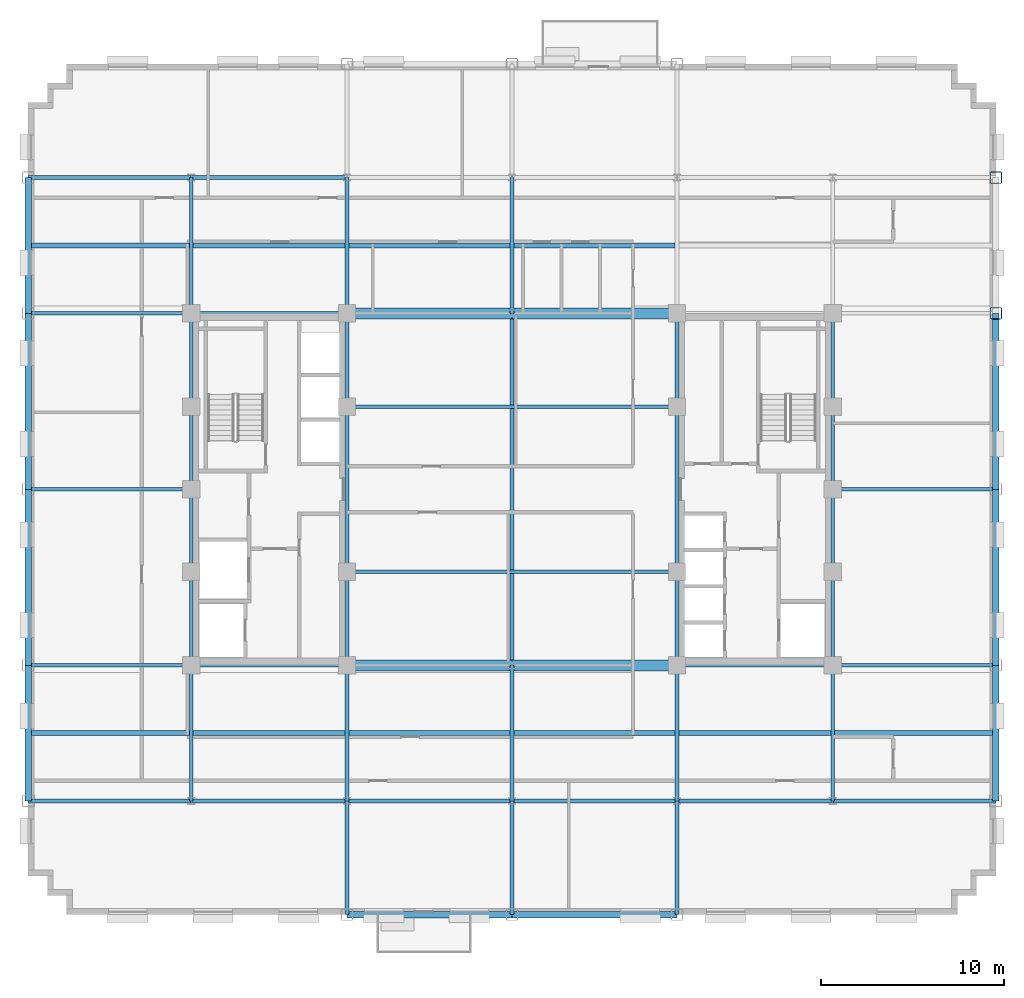
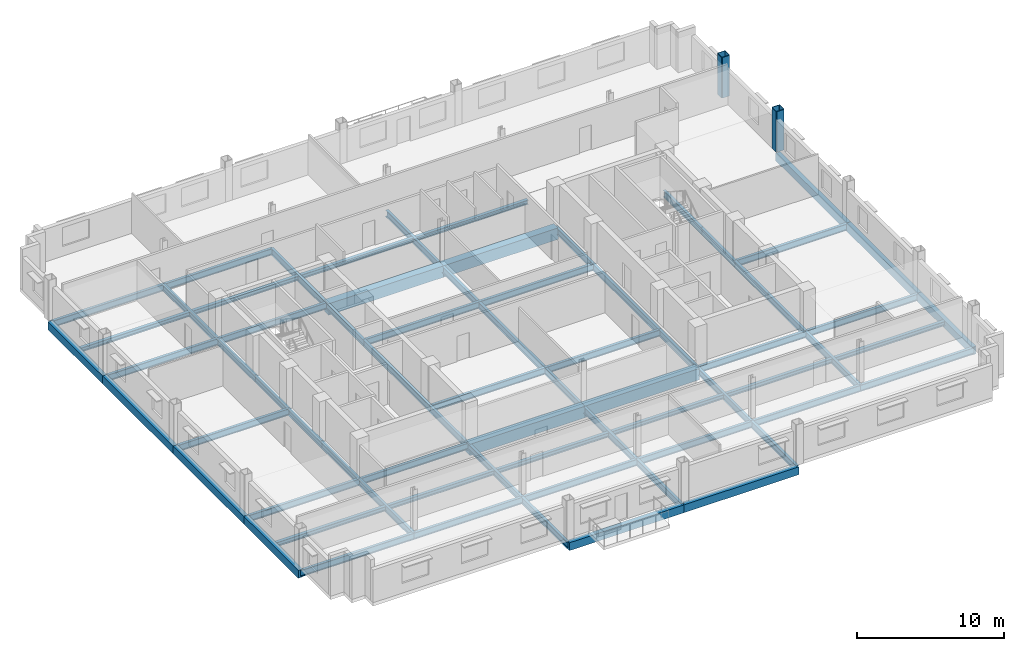
# One storey, part 4 of 14: 67 beams, 2 columns.
"""IFC4 building model written with IfcOpenShell, lengths in metres."""

from ifc_helpers import new_model, si_unit, direction, frame, origin, origin_2d, place, context, subcontext, project, spatial, rectangle, hollow_rectangle, i_section, extrude, material, material_profile, profile_set, type_object, element, save


model = new_model("IFC4")

# Units and contexts
model_context = context("Model", 3, precision=1e-05, world=origin(), true_north=direction((0.0, 1.0)))
body_context = subcontext(model_context, "Body", "Model", "MODEL_VIEW")
ifc_project = project(units=[si_unit("LENGTHUNIT", "METRE"), si_unit("AREAUNIT", "SQUARE_METRE"), si_unit("VOLUMEUNIT", "CUBIC_METRE"), si_unit("PLANEANGLEUNIT", "RADIAN"), si_unit("MASSUNIT", "GRAM", prefix="KILO")], contexts=[model_context])

# Site, building, storey
site_placement = place(None, origin())
site = spatial("IfcSite", under=ifc_project, at=site_placement, CompositionType="ELEMENT")
building_placement = place(site_placement, origin())
building = spatial("IfcBuilding", under=site, at=building_placement, Name="Nuvemarco Arch Tower", CompositionType="ELEMENT")
storey_placement = place(building_placement, frame((0.0, 0.0, 138.449951171875)))
storey = spatial("IfcBuildingStorey", under=building, at=storey_placement, Name="L36", CompositionType="ELEMENT", Elevation=138.449951171875)

# Columns
ifc_material_1 = material(Name="Steel S355", Category="steel")
ifc_material_profile_1 = material_profile(ifc_material_1, hollow_rectangle(XDim=0.64990234375, YDim=0.64990234375, WallThickness=0.0400390625, InnerFilletRadius=0.0400390625, OuterFilletRadius=0.080078125, at=origin_2d()), Name="SHS650x650x40")
ifc_profile_set_1 = profile_set([ifc_material_profile_1], Name="Steel S355")
column_type = type_object("IfcColumnType", Name="COL-EXO-650", PredefinedType="COLUMN", material=ifc_profile_set_1)
for number, where, z_axis, x_axis, name in (
    (1, (26.39990234375, 9.60009765625, 0.0), (0.0, 0.0, 1.0), (1.0, 0.0, 0.0), "L36 column CX_+26.4_+9.6"),
    (2, (26.39990234375, 17.0, 0.0), (0.0, 0.0, 1.0), (1.0, 0.0, 0.0), "L36 column CX_+26.4_+17.0"),
):
    element("IfcColumn", number, at=place(storey_placement, frame(where, z_axis=z_axis, x_axis=x_axis)), inside=storey, type_object=column_type, Name=name, PredefinedType="COLUMN", context=body_context, shape_type="SweptSolid", body=[
        extrude(hollow_rectangle(XDim=0.64990234375, YDim=0.64990234375, WallThickness=0.0400390625, InnerFilletRadius=0.0400390625, OuterFilletRadius=0.080078125, at=origin_2d()), origin(), (0.0, 0.0, 1.0), 3.3701171875),
    ])

# Beams
ifc_material_2 = material(Name="Concrete C60/75", Category="concrete")
ifc_material_profile_2 = material_profile(ifc_material_2, rectangle(XDim=0.60009765625, YDim=0.949951171875, at=origin_2d()), Name="RC-BM-600x950")
ifc_profile_set_2 = profile_set([ifc_material_profile_2], Name="Concrete C60/75")
beam_type_1 = type_object("IfcBeamType", Name="BM-COUP-RC", PredefinedType="LINTEL", material=ifc_profile_set_2)
for number, where, z_axis, x_axis, name in (
    (3, (-9.0, -9.60009765625, -0.7548828125), (1.0, 0.0, 0.0), (0.0, 1.0, 0.0), "L36 structural beam BGEW_L36_0_-9.6_-9.0"),
    (4, (0.0, -9.60009765625, -0.7548828125), (1.0, 0.0, 0.0), (0.0, 1.0, 0.0), "L36 structural beam BGEW_L36_0_-9.6_+0.0"),
    (5, (-9.0, 9.60009765625, -0.7548828125), (1.0, 0.0, 0.0), (0.0, 1.0, 0.0), "L36 structural beam BGEW_L36_0_+9.6_-9.0"),
    (6, (0.0, 9.60009765625, -0.7548828125), (1.0, 0.0, 0.0), (0.0, 1.0, 0.0), "L36 structural beam BGEW_L36_0_+9.6_+0.0"),
):
    element("IfcBeam", number, at=place(storey_placement, frame(where, z_axis=z_axis, x_axis=x_axis)), inside=storey, type_object=beam_type_1, Name=name, PredefinedType="LINTEL", context=body_context, shape_type="SweptSolid", body=[
        extrude(rectangle(XDim=0.60009765625, YDim=0.949951171875, at=origin_2d()), origin(), (0.0, 0.0, 1.0), 9.0),
    ])
ifc_material_profile_3 = material_profile(ifc_material_1, i_section(OverallWidth=0.2109375, OverallDepth=0.5390625, WebThickness=0.01171875, FlangeThickness=0.018798828125, FilletRadius=0.01611328125, at=origin_2d()), Name="W530x109")
ifc_profile_set_3 = profile_set([ifc_material_profile_3], Name="Steel S355")
beam_type_2 = type_object("IfcBeamType", Name="BM-GIRD-530", PredefinedType="BEAM", material=ifc_profile_set_3)
beam_1_placement = place(storey_placement, frame((-17.5, -17.0, -0.549560546875), z_axis=(0.0, 1.0, 0.0), x_axis=(-1.0, 0.0, 0.0)))
element("IfcBeam", 7, at=beam_1_placement, inside=storey, type_object=beam_type_2, Name="L36 structural beam BGNS_L36_0_-17.5_-17.0", PredefinedType="BEAM", context=body_context, shape_type="SweptSolid", body=[
    extrude(i_section(OverallWidth=0.2109375, OverallDepth=0.5390625, WebThickness=0.01171875, FlangeThickness=0.018798828125, FilletRadius=0.01611328125, at=origin_2d()), origin(), (0.0, 0.0, 1.0), 7.39990234375),
])
beam_2_placement = place(storey_placement, frame((-17.5, -9.60009765625, -0.549560546875), z_axis=(0.0, 1.0, 0.0), x_axis=(-1.0, 0.0, 0.0)))
element("IfcBeam", 8, at=beam_2_placement, inside=storey, type_object=beam_type_2, Name="L36 structural beam BGNS_L36_0_-17.5_-9.6", PredefinedType="BEAM", context=body_context, shape_type="SweptSolid", body=[
    extrude(i_section(OverallWidth=0.2109375, OverallDepth=0.5390625, WebThickness=0.01171875, FlangeThickness=0.018798828125, FilletRadius=0.01611328125, at=origin_2d()), origin(), (0.0, 0.0, 1.0), 5.10009765625),
])
for number, where, z_axis, x_axis, name in (
    (9, (-17.5, -4.5, -0.549560546875), (0.0, 1.0, 0.0), (-1.0, 0.0, 0.0), "L36 structural beam BGNS_L36_0_-17.5_-4.5"),
    (10, (-17.5, 0.0, -0.549560546875), (0.0, 1.0, 0.0), (-1.0, 0.0, 0.0), "L36 structural beam BGNS_L36_0_-17.5_+0.0"),
):
    element("IfcBeam", number, at=place(storey_placement, frame(where, z_axis=z_axis, x_axis=x_axis)), inside=storey, type_object=beam_type_2, Name=name, PredefinedType="BEAM", context=body_context, shape_type="SweptSolid", body=[
        extrude(i_section(OverallWidth=0.2109375, OverallDepth=0.5390625, WebThickness=0.01171875, FlangeThickness=0.018798828125, FilletRadius=0.01611328125, at=origin_2d()), origin(), (0.0, 0.0, 1.0), 4.5),
    ])
beam_3_placement = place(storey_placement, frame((-17.5, 4.5, -0.549560546875), z_axis=(0.0, 1.0, 0.0), x_axis=(-1.0, 0.0, 0.0)))
element("IfcBeam", 11, at=beam_3_placement, inside=storey, type_object=beam_type_2, Name="L36 structural beam BGNS_L36_0_-17.5_+4.5", PredefinedType="BEAM", context=body_context, shape_type="SweptSolid", body=[
    extrude(i_section(OverallWidth=0.2109375, OverallDepth=0.5390625, WebThickness=0.01171875, FlangeThickness=0.018798828125, FilletRadius=0.01611328125, at=origin_2d()), origin(), (0.0, 0.0, 1.0), 5.10009765625),
])
beam_4_placement = place(storey_placement, frame((-17.5, 9.60009765625, -0.549560546875), z_axis=(0.0, 1.0, 0.0), x_axis=(-1.0, 0.0, 0.0)))
element("IfcBeam", 12, at=beam_4_placement, inside=storey, type_object=beam_type_2, Name="L36 structural beam BGNS_L36_0_-17.5_+9.6", PredefinedType="BEAM", context=body_context, shape_type="SweptSolid", body=[
    extrude(i_section(OverallWidth=0.2109375, OverallDepth=0.5390625, WebThickness=0.01171875, FlangeThickness=0.018798828125, FilletRadius=0.01611328125, at=origin_2d()), origin(), (0.0, 0.0, 1.0), 7.39990234375),
])
beam_5_placement = place(storey_placement, frame((-9.0, -23.199951171875, -0.549560546875), z_axis=(0.0, 1.0, 0.0), x_axis=(-1.0, 0.0, 0.0)))
element("IfcBeam", 13, at=beam_5_placement, inside=storey, type_object=beam_type_2, Name="L36 structural beam BGNS_L36_0_-9.0_-23.2", PredefinedType="BEAM", context=body_context, shape_type="SweptSolid", body=[
    extrude(i_section(OverallWidth=0.2109375, OverallDepth=0.5390625, WebThickness=0.01171875, FlangeThickness=0.018798828125, FilletRadius=0.01611328125, at=origin_2d()), origin(), (0.0, 0.0, 1.0), 6.199951171875),
])
beam_6_placement = place(storey_placement, frame((-9.0, -17.0, -0.549560546875), z_axis=(0.0, 1.0, 0.0), x_axis=(-1.0, 0.0, 0.0)))
element("IfcBeam", 14, at=beam_6_placement, inside=storey, type_object=beam_type_2, Name="L36 structural beam BGNS_L36_0_-9.0_-17.0", PredefinedType="BEAM", context=body_context, shape_type="SweptSolid", body=[
    extrude(i_section(OverallWidth=0.2109375, OverallDepth=0.5390625, WebThickness=0.01171875, FlangeThickness=0.018798828125, FilletRadius=0.01611328125, at=origin_2d()), origin(), (0.0, 0.0, 1.0), 7.39990234375),
])
beam_7_placement = place(storey_placement, frame((-9.0, -9.60009765625, -0.549560546875), z_axis=(0.0, 1.0, 0.0), x_axis=(-1.0, 0.0, 0.0)))
element("IfcBeam", 15, at=beam_7_placement, inside=storey, type_object=beam_type_2, Name="L36 structural beam BGNS_L36_0_-9.0_-9.6", PredefinedType="BEAM", context=body_context, shape_type="SweptSolid", body=[
    extrude(i_section(OverallWidth=0.2109375, OverallDepth=0.5390625, WebThickness=0.01171875, FlangeThickness=0.018798828125, FilletRadius=0.01611328125, at=origin_2d()), origin(), (0.0, 0.0, 1.0), 5.10009765625),
])
beam_8_placement = place(storey_placement, frame((-9.0, -4.5, -0.549560546875), z_axis=(0.0, 1.0, 0.0), x_axis=(-1.0, 0.0, 0.0)))
element("IfcBeam", 16, at=beam_8_placement, inside=storey, type_object=beam_type_2, Name="L36 structural beam BGNS_L36_0_-9.0_-4.5", PredefinedType="BEAM", context=body_context, shape_type="SweptSolid", body=[
    extrude(i_section(OverallWidth=0.2109375, OverallDepth=0.5390625, WebThickness=0.01171875, FlangeThickness=0.018798828125, FilletRadius=0.01611328125, at=origin_2d()), origin(), (0.0, 0.0, 1.0), 9.0),
])
beam_9_placement = place(storey_placement, frame((-9.0, 4.5, -0.549560546875), z_axis=(0.0, 1.0, 0.0), x_axis=(-1.0, 0.0, 0.0)))
element("IfcBeam", 17, at=beam_9_placement, inside=storey, type_object=beam_type_2, Name="L36 structural beam BGNS_L36_0_-9.0_+4.5", PredefinedType="BEAM", context=body_context, shape_type="SweptSolid", body=[
    extrude(i_section(OverallWidth=0.2109375, OverallDepth=0.5390625, WebThickness=0.01171875, FlangeThickness=0.018798828125, FilletRadius=0.01611328125, at=origin_2d()), origin(), (0.0, 0.0, 1.0), 5.10009765625),
])
beam_10_placement = place(storey_placement, frame((-9.0, 9.60009765625, -0.549560546875), z_axis=(0.0, 1.0, 0.0), x_axis=(-1.0, 0.0, 0.0)))
element("IfcBeam", 18, at=beam_10_placement, inside=storey, type_object=beam_type_2, Name="L36 structural beam BGNS_L36_0_-9.0_+9.6", PredefinedType="BEAM", context=body_context, shape_type="SweptSolid", body=[
    extrude(i_section(OverallWidth=0.2109375, OverallDepth=0.5390625, WebThickness=0.01171875, FlangeThickness=0.018798828125, FilletRadius=0.01611328125, at=origin_2d()), origin(), (0.0, 0.0, 1.0), 7.39990234375),
])
beam_11_placement = place(storey_placement, frame((0.0, -23.199951171875, -0.549560546875), z_axis=(0.0, 1.0, 0.0), x_axis=(-1.0, 0.0, 0.0)))
element("IfcBeam", 19, at=beam_11_placement, inside=storey, type_object=beam_type_2, Name="L36 structural beam BGNS_L36_0_+0.0_-23.2", PredefinedType="BEAM", context=body_context, shape_type="SweptSolid", body=[
    extrude(i_section(OverallWidth=0.2109375, OverallDepth=0.5390625, WebThickness=0.01171875, FlangeThickness=0.018798828125, FilletRadius=0.01611328125, at=origin_2d()), origin(), (0.0, 0.0, 1.0), 6.199951171875),
])
beam_12_placement = place(storey_placement, frame((0.0, -17.0, -0.549560546875), z_axis=(0.0, 1.0, 0.0), x_axis=(-1.0, 0.0, 0.0)))
element("IfcBeam", 20, at=beam_12_placement, inside=storey, type_object=beam_type_2, Name="L36 structural beam BGNS_L36_0_+0.0_-17.0", PredefinedType="BEAM", context=body_context, shape_type="SweptSolid", body=[
    extrude(i_section(OverallWidth=0.2109375, OverallDepth=0.5390625, WebThickness=0.01171875, FlangeThickness=0.018798828125, FilletRadius=0.01611328125, at=origin_2d()), origin(), (0.0, 0.0, 1.0), 7.39990234375),
])
beam_13_placement = place(storey_placement, frame((0.0, -9.60009765625, -0.549560546875), z_axis=(0.0, 1.0, 0.0), x_axis=(-1.0, 0.0, 0.0)))
element("IfcBeam", 21, at=beam_13_placement, inside=storey, type_object=beam_type_2, Name="L36 structural beam BGNS_L36_0_+0.0_-9.6", PredefinedType="BEAM", context=body_context, shape_type="SweptSolid", body=[
    extrude(i_section(OverallWidth=0.2109375, OverallDepth=0.5390625, WebThickness=0.01171875, FlangeThickness=0.018798828125, FilletRadius=0.01611328125, at=origin_2d()), origin(), (0.0, 0.0, 1.0), 19.2001953125),
])
beam_14_placement = place(storey_placement, frame((0.0, 9.60009765625, -0.549560546875), z_axis=(0.0, 1.0, 0.0), x_axis=(-1.0, 0.0, 0.0)))
element("IfcBeam", 22, at=beam_14_placement, inside=storey, type_object=beam_type_2, Name="L36 structural beam BGNS_L36_0_+0.0_+9.6", PredefinedType="BEAM", context=body_context, shape_type="SweptSolid", body=[
    extrude(i_section(OverallWidth=0.2109375, OverallDepth=0.5390625, WebThickness=0.01171875, FlangeThickness=0.018798828125, FilletRadius=0.01611328125, at=origin_2d()), origin(), (0.0, 0.0, 1.0), 7.39990234375),
])
beam_15_placement = place(storey_placement, frame((9.0, -23.199951171875, -0.549560546875), z_axis=(0.0, 1.0, 0.0), x_axis=(-1.0, 0.0, 0.0)))
element("IfcBeam", 23, at=beam_15_placement, inside=storey, type_object=beam_type_2, Name="L36 structural beam BGNS_L36_0_+9.0_-23.2", PredefinedType="BEAM", context=body_context, shape_type="SweptSolid", body=[
    extrude(i_section(OverallWidth=0.2109375, OverallDepth=0.5390625, WebThickness=0.01171875, FlangeThickness=0.018798828125, FilletRadius=0.01611328125, at=origin_2d()), origin(), (0.0, 0.0, 1.0), 6.199951171875),
])
beam_16_placement = place(storey_placement, frame((9.0, -17.0, -0.549560546875), z_axis=(0.0, 1.0, 0.0), x_axis=(-1.0, 0.0, 0.0)))
element("IfcBeam", 24, at=beam_16_placement, inside=storey, type_object=beam_type_2, Name="L36 structural beam BGNS_L36_0_+9.0_-17.0", PredefinedType="BEAM", context=body_context, shape_type="SweptSolid", body=[
    extrude(i_section(OverallWidth=0.2109375, OverallDepth=0.5390625, WebThickness=0.01171875, FlangeThickness=0.018798828125, FilletRadius=0.01611328125, at=origin_2d()), origin(), (0.0, 0.0, 1.0), 7.39990234375),
])
beam_17_placement = place(storey_placement, frame((9.0, -9.60009765625, -0.549560546875), z_axis=(0.0, 1.0, 0.0), x_axis=(-1.0, 0.0, 0.0)))
element("IfcBeam", 25, at=beam_17_placement, inside=storey, type_object=beam_type_2, Name="L36 structural beam BGNS_L36_0_+9.0_-9.6", PredefinedType="BEAM", context=body_context, shape_type="SweptSolid", body=[
    extrude(i_section(OverallWidth=0.2109375, OverallDepth=0.5390625, WebThickness=0.01171875, FlangeThickness=0.018798828125, FilletRadius=0.01611328125, at=origin_2d()), origin(), (0.0, 0.0, 1.0), 5.10009765625),
])
beam_18_placement = place(storey_placement, frame((9.0, -4.5, -0.549560546875), z_axis=(0.0, 1.0, 0.0), x_axis=(-1.0, 0.0, 0.0)))
element("IfcBeam", 26, at=beam_18_placement, inside=storey, type_object=beam_type_2, Name="L36 structural beam BGNS_L36_0_+9.0_-4.5", PredefinedType="BEAM", context=body_context, shape_type="SweptSolid", body=[
    extrude(i_section(OverallWidth=0.2109375, OverallDepth=0.5390625, WebThickness=0.01171875, FlangeThickness=0.018798828125, FilletRadius=0.01611328125, at=origin_2d()), origin(), (0.0, 0.0, 1.0), 9.0),
])
beam_19_placement = place(storey_placement, frame((9.0, 4.5, -0.549560546875), z_axis=(0.0, 1.0, 0.0), x_axis=(-1.0, 0.0, 0.0)))
element("IfcBeam", 27, at=beam_19_placement, inside=storey, type_object=beam_type_2, Name="L36 structural beam BGNS_L36_0_+9.0_+4.5", PredefinedType="BEAM", context=body_context, shape_type="SweptSolid", body=[
    extrude(i_section(OverallWidth=0.2109375, OverallDepth=0.5390625, WebThickness=0.01171875, FlangeThickness=0.018798828125, FilletRadius=0.01611328125, at=origin_2d()), origin(), (0.0, 0.0, 1.0), 5.10009765625),
])
beam_20_placement = place(storey_placement, frame((17.5, -17.0, -0.549560546875), z_axis=(0.0, 1.0, 0.0), x_axis=(-1.0, 0.0, 0.0)))
element("IfcBeam", 28, at=beam_20_placement, inside=storey, type_object=beam_type_2, Name="L36 structural beam BGNS_L36_0_+17.5_-17.0", PredefinedType="BEAM", context=body_context, shape_type="SweptSolid", body=[
    extrude(i_section(OverallWidth=0.2109375, OverallDepth=0.5390625, WebThickness=0.01171875, FlangeThickness=0.018798828125, FilletRadius=0.01611328125, at=origin_2d()), origin(), (0.0, 0.0, 1.0), 7.39990234375),
])
beam_21_placement = place(storey_placement, frame((17.5, -9.60009765625, -0.549560546875), z_axis=(0.0, 1.0, 0.0), x_axis=(-1.0, 0.0, 0.0)))
element("IfcBeam", 29, at=beam_21_placement, inside=storey, type_object=beam_type_2, Name="L36 structural beam BGNS_L36_0_+17.5_-9.6", PredefinedType="BEAM", context=body_context, shape_type="SweptSolid", body=[
    extrude(i_section(OverallWidth=0.2109375, OverallDepth=0.5390625, WebThickness=0.01171875, FlangeThickness=0.018798828125, FilletRadius=0.01611328125, at=origin_2d()), origin(), (0.0, 0.0, 1.0), 5.10009765625),
])
for number, where, z_axis, x_axis, name in (
    (30, (17.5, -4.5, -0.549560546875), (0.0, 1.0, 0.0), (-1.0, 0.0, 0.0), "L36 structural beam BGNS_L36_0_+17.5_-4.5"),
    (31, (17.5, 0.0, -0.549560546875), (0.0, 1.0, 0.0), (-1.0, 0.0, 0.0), "L36 structural beam BGNS_L36_0_+17.5_+0.0"),
):
    element("IfcBeam", number, at=place(storey_placement, frame(where, z_axis=z_axis, x_axis=x_axis)), inside=storey, type_object=beam_type_2, Name=name, PredefinedType="BEAM", context=body_context, shape_type="SweptSolid", body=[
        extrude(i_section(OverallWidth=0.2109375, OverallDepth=0.5390625, WebThickness=0.01171875, FlangeThickness=0.018798828125, FilletRadius=0.01611328125, at=origin_2d()), origin(), (0.0, 0.0, 1.0), 4.5),
    ])
beam_22_placement = place(storey_placement, frame((17.5, 4.5, -0.549560546875), z_axis=(0.0, 1.0, 0.0), x_axis=(-1.0, 0.0, 0.0)))
element("IfcBeam", 32, at=beam_22_placement, inside=storey, type_object=beam_type_2, Name="L36 structural beam BGNS_L36_0_+17.5_+4.5", PredefinedType="BEAM", context=body_context, shape_type="SweptSolid", body=[
    extrude(i_section(OverallWidth=0.2109375, OverallDepth=0.5390625, WebThickness=0.01171875, FlangeThickness=0.018798828125, FilletRadius=0.01611328125, at=origin_2d()), origin(), (0.0, 0.0, 1.0), 5.10009765625),
])
beam_23_placement = place(storey_placement, frame((-26.39990234375, -17.0, -0.549560546875), z_axis=(1.0, 0.0, 0.0), x_axis=(0.0, 1.0, 0.0)))
element("IfcBeam", 33, at=beam_23_placement, inside=storey, type_object=beam_type_2, Name="L36 structural beam BGEW_L36_0_-17.0_-26.4", PredefinedType="BEAM", context=body_context, shape_type="SweptSolid", body=[
    extrude(i_section(OverallWidth=0.2109375, OverallDepth=0.5390625, WebThickness=0.01171875, FlangeThickness=0.018798828125, FilletRadius=0.01611328125, at=origin_2d()), origin(), (0.0, 0.0, 1.0), 8.89990234375),
])
beam_24_placement = place(storey_placement, frame((-17.5, -17.0, -0.549560546875), z_axis=(1.0, 0.0, 0.0), x_axis=(0.0, 1.0, 0.0)))
element("IfcBeam", 34, at=beam_24_placement, inside=storey, type_object=beam_type_2, Name="L36 structural beam BGEW_L36_0_-17.0_-17.5", PredefinedType="BEAM", context=body_context, shape_type="SweptSolid", body=[
    extrude(i_section(OverallWidth=0.2109375, OverallDepth=0.5390625, WebThickness=0.01171875, FlangeThickness=0.018798828125, FilletRadius=0.01611328125, at=origin_2d()), origin(), (0.0, 0.0, 1.0), 8.5),
])
for number, where, z_axis, x_axis, name in (
    (35, (-9.0, -17.0, -0.549560546875), (1.0, 0.0, 0.0), (0.0, 1.0, 0.0), "L36 structural beam BGEW_L36_0_-17.0_-9.0"),
    (36, (0.0, -17.0, -0.549560546875), (1.0, 0.0, 0.0), (0.0, 1.0, 0.0), "L36 structural beam BGEW_L36_0_-17.0_+0.0"),
):
    element("IfcBeam", number, at=place(storey_placement, frame(where, z_axis=z_axis, x_axis=x_axis)), inside=storey, type_object=beam_type_2, Name=name, PredefinedType="BEAM", context=body_context, shape_type="SweptSolid", body=[
        extrude(i_section(OverallWidth=0.2109375, OverallDepth=0.5390625, WebThickness=0.01171875, FlangeThickness=0.018798828125, FilletRadius=0.01611328125, at=origin_2d()), origin(), (0.0, 0.0, 1.0), 9.0),
    ])
beam_25_placement = place(storey_placement, frame((9.0, -17.0, -0.549560546875), z_axis=(1.0, 0.0, 0.0), x_axis=(0.0, 1.0, 0.0)))
element("IfcBeam", 37, at=beam_25_placement, inside=storey, type_object=beam_type_2, Name="L36 structural beam BGEW_L36_0_-17.0_+9.0", PredefinedType="BEAM", context=body_context, shape_type="SweptSolid", body=[
    extrude(i_section(OverallWidth=0.2109375, OverallDepth=0.5390625, WebThickness=0.01171875, FlangeThickness=0.018798828125, FilletRadius=0.01611328125, at=origin_2d()), origin(), (0.0, 0.0, 1.0), 8.5),
])
for number, where, z_axis, x_axis, name in (
    (38, (17.5, -17.0, -0.549560546875), (1.0, 0.0, 0.0), (0.0, 1.0, 0.0), "L36 structural beam BGEW_L36_0_-17.0_+17.5"),
    (39, (-26.39990234375, -9.60009765625, -0.549560546875), (1.0, 0.0, 0.0), (0.0, 1.0, 0.0), "L36 structural beam BGEW_L36_0_-9.6_-26.4"),
):
    element("IfcBeam", number, at=place(storey_placement, frame(where, z_axis=z_axis, x_axis=x_axis)), inside=storey, type_object=beam_type_2, Name=name, PredefinedType="BEAM", context=body_context, shape_type="SweptSolid", body=[
        extrude(i_section(OverallWidth=0.2109375, OverallDepth=0.5390625, WebThickness=0.01171875, FlangeThickness=0.018798828125, FilletRadius=0.01611328125, at=origin_2d()), origin(), (0.0, 0.0, 1.0), 8.89990234375),
    ])
for number, where, z_axis, x_axis, name in (
    (40, (-17.5, -9.60009765625, -0.549560546875), (1.0, 0.0, 0.0), (0.0, 1.0, 0.0), "L36 structural beam BGEW_L36_0_-9.6_-17.5"),
    (41, (9.0, -9.60009765625, -0.549560546875), (1.0, 0.0, 0.0), (0.0, 1.0, 0.0), "L36 structural beam BGEW_L36_0_-9.6_+9.0"),
):
    element("IfcBeam", number, at=place(storey_placement, frame(where, z_axis=z_axis, x_axis=x_axis)), inside=storey, type_object=beam_type_2, Name=name, PredefinedType="BEAM", context=body_context, shape_type="SweptSolid", body=[
        extrude(i_section(OverallWidth=0.2109375, OverallDepth=0.5390625, WebThickness=0.01171875, FlangeThickness=0.018798828125, FilletRadius=0.01611328125, at=origin_2d()), origin(), (0.0, 0.0, 1.0), 8.5),
    ])
beam_26_placement = place(storey_placement, frame((17.5, -9.60009765625, -0.549560546875), z_axis=(1.0, 0.0, 0.0), x_axis=(0.0, 1.0, 0.0)))
element("IfcBeam", 42, at=beam_26_placement, inside=storey, type_object=beam_type_2, Name="L36 structural beam BGEW_L36_0_-9.6_+17.5", PredefinedType="BEAM", context=body_context, shape_type="SweptSolid", body=[
    extrude(i_section(OverallWidth=0.2109375, OverallDepth=0.5390625, WebThickness=0.01171875, FlangeThickness=0.018798828125, FilletRadius=0.01611328125, at=origin_2d()), origin(), (0.0, 0.0, 1.0), 8.89990234375),
])
beam_27_placement = place(storey_placement, frame((-9.0, -4.5, -0.549560546875), z_axis=(1.0, 0.0, 0.0), x_axis=(0.0, 1.0, 0.0)))
element("IfcBeam", 43, at=beam_27_placement, inside=storey, type_object=beam_type_2, Name="L36 structural beam BGEW_L36_0_-4.5_-9.0", PredefinedType="BEAM", context=body_context, shape_type="SweptSolid", body=[
    extrude(i_section(OverallWidth=0.2109375, OverallDepth=0.5390625, WebThickness=0.01171875, FlangeThickness=0.018798828125, FilletRadius=0.01611328125, at=origin_2d()), origin(), (0.0, 0.0, 1.0), 18.0),
])
for number, where, z_axis, x_axis, name in (
    (44, (-26.39990234375, 0.0, -0.549560546875), (1.0, 0.0, 0.0), (0.0, 1.0, 0.0), "L36 structural beam BGEW_L36_0_+0.0_-26.4"),
    (45, (17.5, 0.0, -0.549560546875), (1.0, 0.0, 0.0), (0.0, 1.0, 0.0), "L36 structural beam BGEW_L36_0_+0.0_+17.5"),
):
    element("IfcBeam", number, at=place(storey_placement, frame(where, z_axis=z_axis, x_axis=x_axis)), inside=storey, type_object=beam_type_2, Name=name, PredefinedType="BEAM", context=body_context, shape_type="SweptSolid", body=[
        extrude(i_section(OverallWidth=0.2109375, OverallDepth=0.5390625, WebThickness=0.01171875, FlangeThickness=0.018798828125, FilletRadius=0.01611328125, at=origin_2d()), origin(), (0.0, 0.0, 1.0), 8.89990234375),
    ])
beam_28_placement = place(storey_placement, frame((-9.0, 4.5, -0.549560546875), z_axis=(1.0, 0.0, 0.0), x_axis=(0.0, 1.0, 0.0)))
element("IfcBeam", 46, at=beam_28_placement, inside=storey, type_object=beam_type_2, Name="L36 structural beam BGEW_L36_0_+4.5_-9.0", PredefinedType="BEAM", context=body_context, shape_type="SweptSolid", body=[
    extrude(i_section(OverallWidth=0.2109375, OverallDepth=0.5390625, WebThickness=0.01171875, FlangeThickness=0.018798828125, FilletRadius=0.01611328125, at=origin_2d()), origin(), (0.0, 0.0, 1.0), 18.0),
])
beam_29_placement = place(storey_placement, frame((-26.39990234375, 9.60009765625, -0.549560546875), z_axis=(1.0, 0.0, 0.0), x_axis=(0.0, 1.0, 0.0)))
element("IfcBeam", 47, at=beam_29_placement, inside=storey, type_object=beam_type_2, Name="L36 structural beam BGEW_L36_0_+9.6_-26.4", PredefinedType="BEAM", context=body_context, shape_type="SweptSolid", body=[
    extrude(i_section(OverallWidth=0.2109375, OverallDepth=0.5390625, WebThickness=0.01171875, FlangeThickness=0.018798828125, FilletRadius=0.01611328125, at=origin_2d()), origin(), (0.0, 0.0, 1.0), 8.89990234375),
])
beam_30_placement = place(storey_placement, frame((-17.5, 9.60009765625, -0.549560546875), z_axis=(1.0, 0.0, 0.0), x_axis=(0.0, 1.0, 0.0)))
element("IfcBeam", 48, at=beam_30_placement, inside=storey, type_object=beam_type_2, Name="L36 structural beam BGEW_L36_0_+9.6_-17.5", PredefinedType="BEAM", context=body_context, shape_type="SweptSolid", body=[
    extrude(i_section(OverallWidth=0.2109375, OverallDepth=0.5390625, WebThickness=0.01171875, FlangeThickness=0.018798828125, FilletRadius=0.01611328125, at=origin_2d()), origin(), (0.0, 0.0, 1.0), 8.5),
])
beam_31_placement = place(storey_placement, frame((-26.39990234375, 17.0, -0.549560546875), z_axis=(1.0, 0.0, 0.0), x_axis=(0.0, 1.0, 0.0)))
element("IfcBeam", 49, at=beam_31_placement, inside=storey, type_object=beam_type_2, Name="L36 structural beam BGEW_L36_0_+17.0_-26.4", PredefinedType="BEAM", context=body_context, shape_type="SweptSolid", body=[
    extrude(i_section(OverallWidth=0.2109375, OverallDepth=0.5390625, WebThickness=0.01171875, FlangeThickness=0.018798828125, FilletRadius=0.01611328125, at=origin_2d()), origin(), (0.0, 0.0, 1.0), 8.89990234375),
])
beam_32_placement = place(storey_placement, frame((-17.5, 17.0, -0.549560546875), z_axis=(1.0, 0.0, 0.0), x_axis=(0.0, 1.0, 0.0)))
element("IfcBeam", 50, at=beam_32_placement, inside=storey, type_object=beam_type_2, Name="L36 structural beam BGEW_L36_0_+17.0_-17.5", PredefinedType="BEAM", context=body_context, shape_type="SweptSolid", body=[
    extrude(i_section(OverallWidth=0.2109375, OverallDepth=0.5390625, WebThickness=0.01171875, FlangeThickness=0.018798828125, FilletRadius=0.01611328125, at=origin_2d()), origin(), (0.0, 0.0, 1.0), 8.5),
])
ifc_material_profile_4 = material_profile(ifc_material_1, i_section(OverallWidth=0.2548828125, OverallDepth=0.35693359375, WebThickness=0.010498046875, FlangeThickness=0.018310546875, FilletRadius=0.014892578125, at=origin_2d()), Name="W360x101")
ifc_profile_set_4 = profile_set([ifc_material_profile_4], Name="Steel S355")
beam_type_3 = type_object("IfcBeamType", Name="BM-JOIST-360H", PredefinedType="JOIST", material=ifc_profile_set_4)
beam_33_placement = place(storey_placement, frame((-26.22509765625, -13.300048828125, -0.45849609375), z_axis=(1.0, 0.0, 0.0), x_axis=(0.0, 1.0, 0.0)))
element("IfcBeam", 51, at=beam_33_placement, inside=storey, type_object=beam_type_3, Name="L36 structural beam BJ_L36_0_-13.3_-26.4", PredefinedType="JOIST", context=body_context, shape_type="SweptSolid", body=[
    extrude(i_section(OverallWidth=0.2548828125, OverallDepth=0.35693359375, WebThickness=0.010498046875, FlangeThickness=0.018310546875, FilletRadius=0.014892578125, at=origin_2d()), origin(), (0.0, 0.0, 1.0), 8.61962890625),
])
beam_34_placement = place(storey_placement, frame((-17.39453125, -13.300048828125, -0.45849609375), z_axis=(1.0, 0.0, 0.0), x_axis=(0.0, 1.0, 0.0)))
element("IfcBeam", 52, at=beam_34_placement, inside=storey, type_object=beam_type_3, Name="L36 structural beam BJ_L36_0_-13.3_-17.5", PredefinedType="JOIST", context=body_context, shape_type="SweptSolid", body=[
    extrude(i_section(OverallWidth=0.2548828125, OverallDepth=0.35693359375, WebThickness=0.010498046875, FlangeThickness=0.018310546875, FilletRadius=0.014892578125, at=origin_2d()), origin(), (0.0, 0.0, 1.0), 8.2890625),
])
for number, where, z_axis, x_axis, name in (
    (53, (-8.89453125, -13.300048828125, -0.45849609375), (1.0, 0.0, 0.0), (0.0, 1.0, 0.0), "L36 structural beam BJ_L36_0_-13.3_-9.0"),
    (54, (0.10546875, -13.300048828125, -0.45849609375), (1.0, 0.0, 0.0), (0.0, 1.0, 0.0), "L36 structural beam BJ_L36_0_-13.3_+0.0"),
):
    element("IfcBeam", number, at=place(storey_placement, frame(where, z_axis=z_axis, x_axis=x_axis)), inside=storey, type_object=beam_type_3, Name=name, PredefinedType="JOIST", context=body_context, shape_type="SweptSolid", body=[
        extrude(i_section(OverallWidth=0.2548828125, OverallDepth=0.35693359375, WebThickness=0.010498046875, FlangeThickness=0.018310546875, FilletRadius=0.014892578125, at=origin_2d()), origin(), (0.0, 0.0, 1.0), 8.7890625),
    ])
beam_35_placement = place(storey_placement, frame((9.10546875, -13.300048828125, -0.45849609375), z_axis=(1.0, 0.0, 0.0), x_axis=(0.0, 1.0, 0.0)))
element("IfcBeam", 55, at=beam_35_placement, inside=storey, type_object=beam_type_3, Name="L36 structural beam BJ_L36_0_-13.3_+9.0", PredefinedType="JOIST", context=body_context, shape_type="SweptSolid", body=[
    extrude(i_section(OverallWidth=0.2548828125, OverallDepth=0.35693359375, WebThickness=0.010498046875, FlangeThickness=0.018310546875, FilletRadius=0.014892578125, at=origin_2d()), origin(), (0.0, 0.0, 1.0), 8.2890625),
])
for number, where, z_axis, x_axis, name in (
    (56, (17.60546875, -13.300048828125, -0.45849609375), (1.0, 0.0, 0.0), (0.0, 1.0, 0.0), "L36 structural beam BJ_L36_0_-13.3_+17.5"),
    (57, (-26.22509765625, 13.300048828125, -0.45849609375), (1.0, 0.0, 0.0), (0.0, 1.0, 0.0), "L36 structural beam BJ_L36_0_+13.3_-26.4"),
):
    element("IfcBeam", number, at=place(storey_placement, frame(where, z_axis=z_axis, x_axis=x_axis)), inside=storey, type_object=beam_type_3, Name=name, PredefinedType="JOIST", context=body_context, shape_type="SweptSolid", body=[
        extrude(i_section(OverallWidth=0.2548828125, OverallDepth=0.35693359375, WebThickness=0.010498046875, FlangeThickness=0.018310546875, FilletRadius=0.014892578125, at=origin_2d()), origin(), (0.0, 0.0, 1.0), 8.61962890625),
    ])
beam_36_placement = place(storey_placement, frame((-17.39453125, 13.300048828125, -0.45849609375), z_axis=(1.0, 0.0, 0.0), x_axis=(0.0, 1.0, 0.0)))
element("IfcBeam", 58, at=beam_36_placement, inside=storey, type_object=beam_type_3, Name="L36 structural beam BJ_L36_0_+13.3_-17.5", PredefinedType="JOIST", context=body_context, shape_type="SweptSolid", body=[
    extrude(i_section(OverallWidth=0.2548828125, OverallDepth=0.35693359375, WebThickness=0.010498046875, FlangeThickness=0.018310546875, FilletRadius=0.014892578125, at=origin_2d()), origin(), (0.0, 0.0, 1.0), 8.2890625),
])
for number, where, z_axis, x_axis, name in (
    (59, (-8.89453125, 13.300048828125, -0.45849609375), (1.0, 0.0, 0.0), (0.0, 1.0, 0.0), "L36 structural beam BJ_L36_0_+13.3_-9.0"),
    (60, (0.10546875, 13.300048828125, -0.45849609375), (1.0, 0.0, 0.0), (0.0, 1.0, 0.0), "L36 structural beam BJ_L36_0_+13.3_+0.0"),
):
    element("IfcBeam", number, at=place(storey_placement, frame(where, z_axis=z_axis, x_axis=x_axis)), inside=storey, type_object=beam_type_3, Name=name, PredefinedType="JOIST", context=body_context, shape_type="SweptSolid", body=[
        extrude(i_section(OverallWidth=0.2548828125, OverallDepth=0.35693359375, WebThickness=0.010498046875, FlangeThickness=0.018310546875, FilletRadius=0.014892578125, at=origin_2d()), origin(), (0.0, 0.0, 1.0), 8.7890625),
    ])
ifc_material_3 = material(Name="Precast concrete C45/55", Category="concrete")
ifc_material_profile_5 = material_profile(ifc_material_3, rectangle(XDim=0.35009765625, YDim=0.64990234375, at=origin_2d()), Name="PC-SP-350x650")
ifc_profile_set_5 = profile_set([ifc_material_profile_5], Name="Precast concrete C45/55")
beam_type_4 = type_object("IfcBeamType", Name="BM-SPAN-RC", PredefinedType="SPANDREL", material=ifc_profile_set_5)
beam_37_placement = place(storey_placement, frame((-26.39990234375, -17.0, -0.60498046875), z_axis=(0.0, 1.0, 0.0), x_axis=(-1.0, 0.0, 0.0)))
element("IfcBeam", 61, at=beam_37_placement, inside=storey, type_object=beam_type_4, Name="L36 structural beam BGNS_L36_0_-26.4_-17.0", PredefinedType="SPANDREL", context=body_context, shape_type="SweptSolid", body=[
    extrude(rectangle(XDim=0.35009765625, YDim=0.64990234375, at=origin_2d()), origin(), (0.0, 0.0, 1.0), 7.39990234375),
])
for number, where, z_axis, x_axis, name in (
    (62, (-26.39990234375, -9.60009765625, -0.60498046875), (0.0, 1.0, 0.0), (-1.0, 0.0, 0.0), "L36 structural beam BGNS_L36_0_-26.4_-9.6"),
    (63, (-26.39990234375, 0.0, -0.60498046875), (0.0, 1.0, 0.0), (-1.0, 0.0, 0.0), "L36 structural beam BGNS_L36_0_-26.4_+0.0"),
):
    element("IfcBeam", number, at=place(storey_placement, frame(where, z_axis=z_axis, x_axis=x_axis)), inside=storey, type_object=beam_type_4, Name=name, PredefinedType="SPANDREL", context=body_context, shape_type="SweptSolid", body=[
        extrude(rectangle(XDim=0.35009765625, YDim=0.64990234375, at=origin_2d()), origin(), (0.0, 0.0, 1.0), 9.60009765625),
    ])
for number, where, z_axis, x_axis, name in (
    (64, (-26.39990234375, 9.60009765625, -0.60498046875), (0.0, 1.0, 0.0), (-1.0, 0.0, 0.0), "L36 structural beam BGNS_L36_0_-26.4_+9.6"),
    (65, (26.39990234375, -17.0, -0.60498046875), (0.0, 1.0, 0.0), (-1.0, 0.0, 0.0), "L36 structural beam BGNS_L36_0_+26.4_-17.0"),
):
    element("IfcBeam", number, at=place(storey_placement, frame(where, z_axis=z_axis, x_axis=x_axis)), inside=storey, type_object=beam_type_4, Name=name, PredefinedType="SPANDREL", context=body_context, shape_type="SweptSolid", body=[
        extrude(rectangle(XDim=0.35009765625, YDim=0.64990234375, at=origin_2d()), origin(), (0.0, 0.0, 1.0), 7.39990234375),
    ])
for number, where, z_axis, x_axis, name in (
    (66, (26.39990234375, -9.60009765625, -0.60498046875), (0.0, 1.0, 0.0), (-1.0, 0.0, 0.0), "L36 structural beam BGNS_L36_0_+26.4_-9.6"),
    (67, (26.39990234375, 0.0, -0.60498046875), (0.0, 1.0, 0.0), (-1.0, 0.0, 0.0), "L36 structural beam BGNS_L36_0_+26.4_+0.0"),
):
    element("IfcBeam", number, at=place(storey_placement, frame(where, z_axis=z_axis, x_axis=x_axis)), inside=storey, type_object=beam_type_4, Name=name, PredefinedType="SPANDREL", context=body_context, shape_type="SweptSolid", body=[
        extrude(rectangle(XDim=0.35009765625, YDim=0.64990234375, at=origin_2d()), origin(), (0.0, 0.0, 1.0), 9.60009765625),
    ])
for number, where, z_axis, x_axis, name in (
    (68, (-9.0, -23.199951171875, -0.60498046875), (1.0, 0.0, 0.0), (0.0, 1.0, 0.0), "L36 structural beam BGEW_L36_0_-23.2_-9.0"),
    (69, (0.0, -23.199951171875, -0.60498046875), (1.0, 0.0, 0.0), (0.0, 1.0, 0.0), "L36 structural beam BGEW_L36_0_-23.2_+0.0"),
):
    element("IfcBeam", number, at=place(storey_placement, frame(where, z_axis=z_axis, x_axis=x_axis)), inside=storey, type_object=beam_type_4, Name=name, PredefinedType="SPANDREL", context=body_context, shape_type="SweptSolid", body=[
        extrude(rectangle(XDim=0.35009765625, YDim=0.64990234375, at=origin_2d()), origin(), (0.0, 0.0, 1.0), 9.0),
    ])

save(model, "model.ifc")
